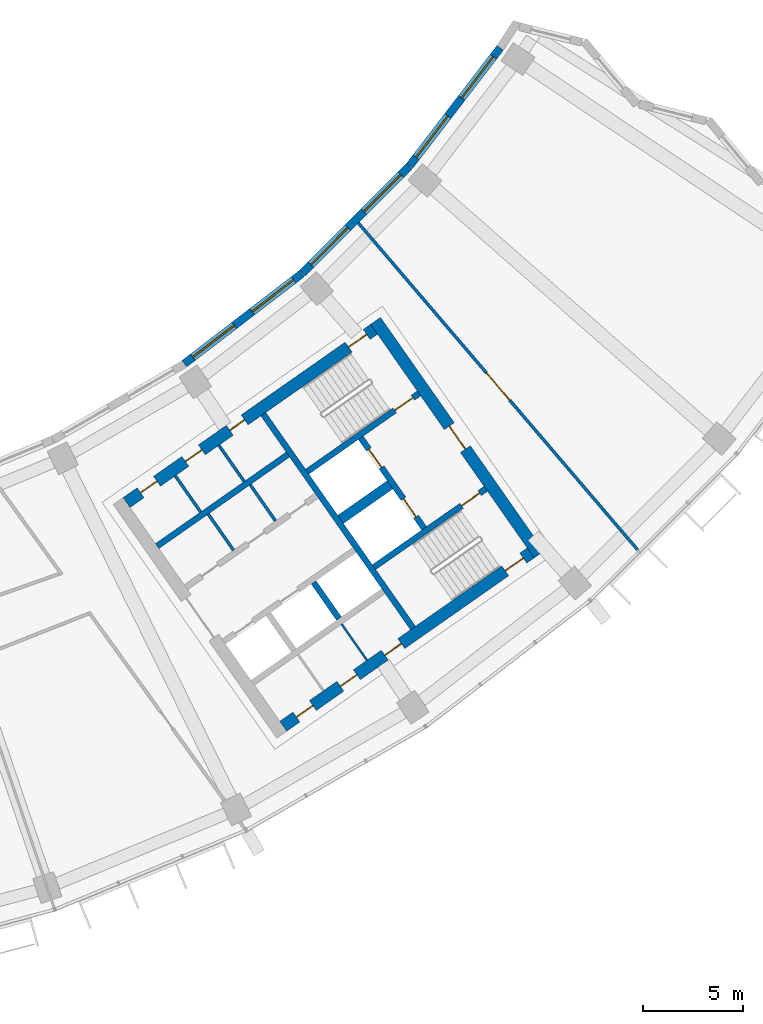
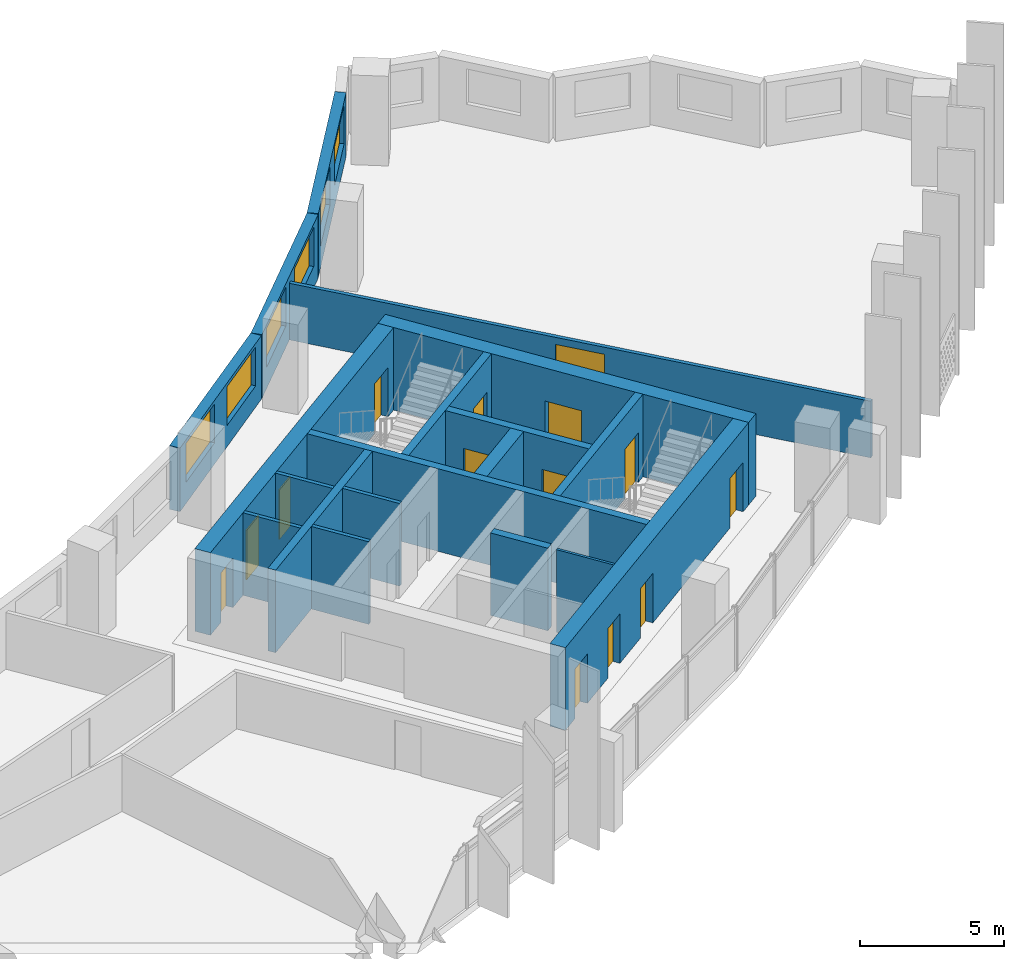
# One storey, part 7 of 26: 19 walls, 14 doors, 6 windows, 20 openings.
"""IFC4 building model written with IfcOpenShell, lengths in metres."""

from ifc_helpers import new_model, si_unit, direction, frame, frame_2d, origin, place, context, subcontext, project, spatial, rectangle, extrude, material, layer, layer_set, type_object, element, fill, save


model = new_model("IFC4")

# Units and contexts
model_context = context("Model", 3, precision=1e-05, world=origin(), true_north=direction((0.0, 1.0)))
body_context = subcontext(model_context, "Body", "Model", "MODEL_VIEW")
ifc_project = project(units=[si_unit("LENGTHUNIT", "METRE"), si_unit("AREAUNIT", "SQUARE_METRE"), si_unit("VOLUMEUNIT", "CUBIC_METRE"), si_unit("PLANEANGLEUNIT", "RADIAN"), si_unit("MASSUNIT", "GRAM", prefix="KILO")], contexts=[model_context])

# Site, building, storey
site_placement = place(None, origin())
site = spatial("IfcSite", under=ifc_project, at=site_placement, CompositionType="ELEMENT")
building_placement = place(site_placement, origin())
building = spatial("IfcBuilding", under=site, at=building_placement, Name="Qamariyya Broadcast Tower", CompositionType="ELEMENT")
storey_placement = place(building_placement, frame((0.0, 0.0, 156.89990234375)))
storey = spatial("IfcBuildingStorey", under=building, at=storey_placement, Name="L36", CompositionType="ELEMENT", Elevation=156.89990234375)

# Wall, opening, door
ifc_material_1 = material(Name="Concrete C60/75", Category="concrete")
ifc_layer_1 = layer(ifc_material_1, 0.60009765625)
ifc_layer_set_1 = layer_set([ifc_layer_1], Name="Core wall 600 mm Concrete C60/75")
wall_type_1 = type_object("IfcWallType", Name="Core wall 600 mm Concrete C60/75", PredefinedType="SHEAR", material=ifc_layer_set_1)
wall_1_placement = place(storey_placement, frame((49.4833984375, -57.031494140625, 0.0), z_axis=(0.0, 0.0, 1.0), x_axis=(-0.573560421458, 0.819163257805, 0.0)))
wall_1 = element("IfcWall", 1, at=wall_1_placement, inside=storey, type_object=wall_type_1, Name="k-E-L36-WH", PredefinedType="SHEAR", context=body_context, shape_type="SweptSolid", body=[
    extrude(rectangle(XDim=14.199951171875, YDim=0.60009765625, at=frame_2d((7.10009765625, 0.0))), origin(), (0.0, 0.0, 1.0), 3.5),
])
opening_1_placement = place(wall_1_placement, frame((6.39990234375, 0.0, 0.0)))
opening_1 = element("IfcOpeningElement", 2, at=opening_1_placement, cuts=wall_1, Name="Opening KD2-E1", PredefinedType="OPENING", context=body_context, shape_type="SweptSolid", body=[
    extrude(rectangle(XDim=1.39990234375, YDim=2.10009765625, at=frame_2d((0.699951171875, 1.050048828125))), frame((0.0, 0.31005859375, 0.0), z_axis=(0.0, -1.0, 0.0), x_axis=(1.0, 0.0, 0.0)), (0.0, 0.0, 1.0), 0.6201171875),
])
ifc_material_2 = material(Name="Steel fire-resisting door leaf", Category="steel")
door_type_1 = type_object("IfcDoorType", Name="Fire-fighting lobby door KD2", OperationType="DOUBLE_DOOR_SINGLE_SWING", PredefinedType="DOOR", material=ifc_material_2)
door_1_placement = place(opening_1_placement, origin())
door_1 = element("IfcDoor", 3, at=door_1_placement, inside=storey, type_object=door_type_1, Name="k-E-L36-WH-D15", OperationType="DOUBLE_DOOR_SINGLE_SWING", OverallHeight=2.10009765625, OverallWidth=1.39990234375, PredefinedType="DOOR", context=body_context, shape_type="SweptSolid", body=[
    extrude(rectangle(XDim=1.39990234375, YDim=2.10009765625, at=frame_2d((0.699951171875, 1.050048828125))), frame((0.0, 0.02490234375, 0.0), z_axis=(0.0, -1.0, 0.0), x_axis=(1.0, 0.0, 0.0)), (0.0, 0.0, 1.0), 0.050048828125),
])
fill(opening_1, door_1)

# Wall, openings, doors
wall_2_placement = place(storey_placement, frame((28.940673828125, -54.447021484375, 0.0), z_axis=(0.0, 0.0, 1.0), x_axis=(0.819153391756, 0.573574511963, 0.0)))
wall_2 = element("IfcWall", 4, at=wall_2_placement, inside=storey, type_object=wall_type_1, Name="k-E-L36-WI", PredefinedType="SHEAR", context=body_context, shape_type="SweptSolid", body=[
    extrude(rectangle(XDim=15.04541015625, YDim=0.60009765625, at=frame_2d((7.522705078125, 0.0))), origin(), (0.0, 0.0, 1.0), 3.5),
])
opening_2_placement = place(wall_2_placement, frame((0.85009765625, 0.0, 0.0)))
opening_2 = element("IfcOpeningElement", 5, at=opening_2_placement, cuts=wall_2, Name="Opening KD6-E3", PredefinedType="OPENING", context=body_context, shape_type="SweptSolid", body=[
    extrude(rectangle(XDim=1.0, YDim=2.10009765625, at=frame_2d((0.5, 1.050048828125))), frame((0.0, 0.31005859375, 0.0), z_axis=(0.0, -1.0, 0.0), x_axis=(1.0, 0.0, 0.0)), (0.0, 0.0, 1.0), 0.6201171875),
])
opening_3_placement = place(wall_2_placement, frame((3.574951171875, 0.0, 0.0)))
opening_3 = element("IfcOpeningElement", 6, at=opening_3_placement, cuts=wall_2, Name="Opening KD7-E1", PredefinedType="OPENING", context=body_context, shape_type="SweptSolid", body=[
    extrude(rectangle(XDim=1.0, YDim=2.10009765625, at=frame_2d((0.5, 1.050048828125))), frame((0.0, 0.31005859375, 0.0), z_axis=(0.0, -1.0, 0.0), x_axis=(1.0, 0.0, 0.0)), (0.0, 0.0, 1.0), 0.6201171875),
])
opening_4_placement = place(wall_2_placement, frame((6.27490234375, 0.0, 0.0)))
opening_4 = element("IfcOpeningElement", 7, at=opening_4_placement, cuts=wall_2, Name="Opening KD5-E1", PredefinedType="OPENING", context=body_context, shape_type="SweptSolid", body=[
    extrude(rectangle(XDim=0.89990234375, YDim=2.10009765625, at=frame_2d((0.449951171875, 1.050048828125))), frame((0.0, 0.31005859375, 0.0), z_axis=(0.0, -1.0, 0.0), x_axis=(1.0, 0.0, 0.0)), (0.0, 0.0, 1.0), 0.6201171875),
])
opening_5_placement = place(wall_2_placement, frame((13.495361328125, 0.0, 0.0)))
opening_5 = element("IfcOpeningElement", 8, at=opening_5_placement, cuts=wall_2, Name="Opening KD1-E1", PredefinedType="OPENING", context=body_context, shape_type="SweptSolid", body=[
    extrude(rectangle(XDim=1.10009765625, YDim=2.10009765625, at=frame_2d((0.550048828125, 1.050048828125))), frame((0.0, 0.31005859375, 0.0), z_axis=(0.0, -1.0, 0.0), x_axis=(1.0, 0.0, 0.0)), (0.0, 0.0, 1.0), 0.6201171875),
])
door_type_2 = type_object("IfcDoorType", Name="Accessible toilet door KD7", OperationType="SINGLE_SWING_LEFT", PredefinedType="DOOR", material=ifc_material_2)
door_2_placement = place(opening_3_placement, origin())
door_2 = element("IfcDoor", 9, at=door_2_placement, inside=storey, type_object=door_type_2, Name="k-E-L36-WI-D8", OperationType="SINGLE_SWING_RIGHT", OverallHeight=2.10009765625, OverallWidth=1.0, PredefinedType="DOOR", context=body_context, shape_type="SweptSolid", body=[
    extrude(rectangle(XDim=1.0, YDim=2.10009765625, at=frame_2d((0.5, 1.050048828125))), frame((0.0, 0.02490234375, 0.0), z_axis=(0.0, -1.0, 0.0), x_axis=(1.0, 0.0, 0.0)), (0.0, 0.0, 1.0), 0.050048828125),
])
fill(opening_3, door_2)
door_type_3 = type_object("IfcDoorType", Name="Core room door KD6", OperationType="SINGLE_SWING_LEFT", PredefinedType="DOOR", material=ifc_material_2)
door_3_placement = place(opening_2_placement, origin())
door_3 = element("IfcDoor", 10, at=door_3_placement, inside=storey, type_object=door_type_3, Name="k-E-L36-WI-D7", OperationType="SINGLE_SWING_LEFT", OverallHeight=2.10009765625, OverallWidth=1.0, PredefinedType="DOOR", context=body_context, shape_type="SweptSolid", body=[
    extrude(rectangle(XDim=1.0, YDim=2.10009765625, at=frame_2d((0.5, 1.050048828125))), frame((0.0, 0.02490234375, 0.0), z_axis=(0.0, -1.0, 0.0), x_axis=(1.0, 0.0, 0.0)), (0.0, 0.0, 1.0), 0.050048828125),
])
fill(opening_2, door_3)
door_type_4 = type_object("IfcDoorType", Name="Stair door KD1", OperationType="SINGLE_SWING_LEFT", PredefinedType="DOOR", material=ifc_material_2)
door_4_placement = place(opening_5_placement, origin())
door_4 = element("IfcDoor", 11, at=door_4_placement, inside=storey, type_object=door_type_4, Name="k-E-L36-WI-D16", OperationType="SINGLE_SWING_RIGHT", OverallHeight=2.10009765625, OverallWidth=1.10009765625, PredefinedType="DOOR", context=body_context, shape_type="SweptSolid", body=[
    extrude(rectangle(XDim=1.10009765625, YDim=2.10009765625, at=frame_2d((0.550048828125, 1.050048828125))), frame((0.0, 0.02490234375, 0.0), z_axis=(0.0, -1.0, 0.0), x_axis=(1.0, 0.0, 0.0)), (0.0, 0.0, 1.0), 0.050048828125),
])
fill(opening_5, door_4)
door_type_5 = type_object("IfcDoorType", Name="Toilet door KD5", OperationType="SINGLE_SWING_LEFT", PredefinedType="DOOR", material=ifc_material_2)
door_5_placement = place(opening_4_placement, origin())
door_5 = element("IfcDoor", 12, at=door_5_placement, inside=storey, type_object=door_type_5, Name="k-E-L36-WI-D9", OperationType="SINGLE_SWING_LEFT", OverallHeight=2.10009765625, OverallWidth=0.89990234375, PredefinedType="DOOR", context=body_context, shape_type="SweptSolid", body=[
    extrude(rectangle(XDim=0.89990234375, YDim=2.10009765625, at=frame_2d((0.449951171875, 1.050048828125))), frame((0.0, 0.02490234375, 0.0), z_axis=(0.0, -1.0, 0.0), x_axis=(1.0, 0.0, 0.0)), (0.0, 0.0, 1.0), 0.050048828125),
])
fill(opening_4, door_5)

wall_3_placement = place(storey_placement, frame((36.7412109375, -65.58740234375, 0.0), z_axis=(0.0, 0.0, 1.0), x_axis=(0.819153391756, 0.573574511963, 0.0)))
wall_3 = element("IfcWall", 13, at=wall_3_placement, inside=storey, type_object=wall_type_1, Name="k-E-L36-WO", PredefinedType="SHEAR", context=body_context, shape_type="SweptSolid", body=[
    extrude(rectangle(XDim=15.04541015625, YDim=0.60009765625, at=frame_2d((7.522705078125, 0.0))), origin(), (0.0, 0.0, 1.0), 3.5),
])
opening_6_placement = place(wall_3_placement, frame((0.800048828125, 0.0, 0.0)))
opening_6 = element("IfcOpeningElement", 14, at=opening_6_placement, cuts=wall_3, Name="Opening KD4-E2", PredefinedType="OPENING", context=body_context, shape_type="SweptSolid", body=[
    extrude(rectangle(XDim=1.0, YDim=2.10009765625, at=frame_2d((0.5, 1.050048828125))), frame((0.0, 0.31005859375, 0.0), z_axis=(0.0, -1.0, 0.0), x_axis=(1.0, 0.0, 0.0)), (0.0, 0.0, 1.0), 0.6201171875),
])
opening_7_placement = place(wall_3_placement, frame((3.47509765625, 0.0, 0.0)))
opening_7 = element("IfcOpeningElement", 15, at=opening_7_placement, cuts=wall_3, Name="Opening KD4-E3", PredefinedType="OPENING", context=body_context, shape_type="SweptSolid", body=[
    extrude(rectangle(XDim=1.0, YDim=2.10009765625, at=frame_2d((0.5, 1.050048828125))), frame((0.0, 0.31005859375, 0.0), z_axis=(0.0, -1.0, 0.0), x_axis=(1.0, 0.0, 0.0)), (0.0, 0.0, 1.0), 0.6201171875),
])
opening_8_placement = place(wall_3_placement, frame((6.175048828125, 0.0, 0.0)))
opening_8 = element("IfcOpeningElement", 16, at=opening_8_placement, cuts=wall_3, Name="Opening KD4-E4", PredefinedType="OPENING", context=body_context, shape_type="SweptSolid", body=[
    extrude(rectangle(XDim=1.0, YDim=2.10009765625, at=frame_2d((0.5, 1.050048828125))), frame((0.0, 0.31005859375, 0.0), z_axis=(0.0, -1.0, 0.0), x_axis=(1.0, 0.0, 0.0)), (0.0, 0.0, 1.0), 0.6201171875),
])
opening_9_placement = place(wall_3_placement, frame((13.495361328125, 0.0, 0.0)))
opening_9 = element("IfcOpeningElement", 17, at=opening_9_placement, cuts=wall_3, Name="Opening KD1-E3", PredefinedType="OPENING", context=body_context, shape_type="SweptSolid", body=[
    extrude(rectangle(XDim=1.10009765625, YDim=2.10009765625, at=frame_2d((0.550048828125, 1.050048828125))), frame((0.0, 0.31005859375, 0.0), z_axis=(0.0, -1.0, 0.0), x_axis=(1.0, 0.0, 0.0)), (0.0, 0.0, 1.0), 0.6201171875),
])
door_type_6 = type_object("IfcDoorType", Name="Riser and plant door KD4", OperationType="SINGLE_SWING_LEFT", PredefinedType="DOOR", material=ifc_material_2)
door_6_placement = place(opening_6_placement, origin())
door_6 = element("IfcDoor", 18, at=door_6_placement, inside=storey, type_object=door_type_6, Name="k-E-L36-WO-D10", OperationType="SINGLE_SWING_RIGHT", OverallHeight=2.10009765625, OverallWidth=1.0, PredefinedType="DOOR", context=body_context, shape_type="SweptSolid", body=[
    extrude(rectangle(XDim=1.0, YDim=2.10009765625, at=frame_2d((0.5, 1.050048828125))), frame((0.0, 0.02490234375, 0.0), z_axis=(0.0, -1.0, 0.0), x_axis=(1.0, 0.0, 0.0)), (0.0, 0.0, 1.0), 0.050048828125),
])
fill(opening_6, door_6)
door_7_placement = place(opening_7_placement, origin())
door_7 = element("IfcDoor", 19, at=door_7_placement, inside=storey, type_object=door_type_6, Name="k-E-L36-WO-D11", OperationType="SINGLE_SWING_LEFT", OverallHeight=2.10009765625, OverallWidth=1.0, PredefinedType="DOOR", context=body_context, shape_type="SweptSolid", body=[
    extrude(rectangle(XDim=1.0, YDim=2.10009765625, at=frame_2d((0.5, 1.050048828125))), frame((0.0, 0.02490234375, 0.0), z_axis=(0.0, -1.0, 0.0), x_axis=(1.0, 0.0, 0.0)), (0.0, 0.0, 1.0), 0.050048828125),
])
fill(opening_7, door_7)
door_8_placement = place(opening_8_placement, origin())
door_8 = element("IfcDoor", 20, at=door_8_placement, inside=storey, type_object=door_type_6, Name="k-E-L36-WO-D12", OperationType="SINGLE_SWING_RIGHT", OverallHeight=2.10009765625, OverallWidth=1.0, PredefinedType="DOOR", context=body_context, shape_type="SweptSolid", body=[
    extrude(rectangle(XDim=1.0, YDim=2.10009765625, at=frame_2d((0.5, 1.050048828125))), frame((0.0, 0.02490234375, 0.0), z_axis=(0.0, -1.0, 0.0), x_axis=(1.0, 0.0, 0.0)), (0.0, 0.0, 1.0), 0.050048828125),
])
fill(opening_8, door_8)
door_9_placement = place(opening_9_placement, origin())
door_9 = element("IfcDoor", 21, at=door_9_placement, inside=storey, type_object=door_type_4, Name="k-E-L36-WO-D18", OperationType="SINGLE_SWING_LEFT", OverallHeight=2.10009765625, OverallWidth=1.10009765625, PredefinedType="DOOR", context=body_context, shape_type="SweptSolid", body=[
    extrude(rectangle(XDim=1.10009765625, YDim=2.10009765625, at=frame_2d((0.550048828125, 1.050048828125))), frame((0.0, 0.02490234375, 0.0), z_axis=(0.0, -1.0, 0.0), x_axis=(1.0, 0.0, 0.0)), (0.0, 0.0, 1.0), 0.050048828125),
])
fill(opening_9, door_9)

# Wall, opening, door
ifc_material_3 = material(Name="Gypsum board partition")
ifc_layer_2 = layer(ifc_material_3, 0.14990234375)
ifc_layer_set_2 = layer_set([ifc_layer_2], Name="Corridor partition 150 EI 60")
wall_type_2 = type_object("IfcWallType", Name="Corridor partition 150 EI 60", PredefinedType="PARTITIONING", material=ifc_layer_set_2)
wall_4_placement = place(storey_placement, frame((40.478759765625, -40.52294921875, 0.0), z_axis=(0.0, 0.0, 1.0), x_axis=(0.649633284071, -0.760247720303, 0.0)))
wall_4 = element("IfcWall", 22, at=wall_4_placement, inside=storey, type_object=wall_type_2, Name="Partition L36-027", PredefinedType="PARTITIONING", context=body_context, shape_type="SweptSolid", body=[
    extrude(rectangle(XDim=21.420166015625, YDim=0.14990234375, at=frame_2d((10.7099609375, 0.0))), origin(), (0.0, 0.0, 1.0), 2.400146484375),
])
opening_10_placement = place(wall_4_placement, frame((9.81005859375, 0.0, 0.0)))
opening_10 = element("IfcOpeningElement", 23, at=opening_10_placement, cuts=wall_4, Name="Opening L36-D13", PredefinedType="OPENING", context=body_context, shape_type="SweptSolid", body=[
    extrude(rectangle(XDim=1.800048828125, YDim=2.10009765625, at=frame_2d((0.89990234375, 1.050048828125))), frame((0.0, 0.0849609375, 0.0), z_axis=(0.0, -1.0, 0.0), x_axis=(1.0, 0.0, 0.0)), (0.0, 0.0, 1.0), 0.169921875),
])
ifc_material_4 = material(Name="Timber fire door leaf", Category="wood")
door_type_7 = type_object("IfcDoorType", Name="Double fire door 1800 x 2100 FD60", OperationType="NOTDEFINED", PredefinedType="DOOR", material=ifc_material_4)
door_10_placement = place(opening_10_placement, origin())
door_10 = element("IfcDoor", 24, at=door_10_placement, inside=storey, type_object=door_type_7, Name="Door L36-D13", OperationType="DOUBLE_DOOR_SINGLE_SWING", OverallHeight=2.10009765625, OverallWidth=1.800048828125, PredefinedType="DOOR", context=body_context, shape_type="SweptSolid", body=[
    extrude(rectangle(XDim=1.800048828125, YDim=2.10009765625, at=frame_2d((0.89990234375, 1.050048828125))), frame((0.0, 0.02490234375, 0.0), z_axis=(0.0, -1.0, 0.0), x_axis=(1.0, 0.0, 0.0)), (0.0, 0.0, 1.0), 0.050048828125),
])
fill(opening_10, door_10)

# Walls
ifc_layer_3 = layer(ifc_material_1, 0.5)
ifc_layer_set_3 = layer_set([ifc_layer_3], Name="Fire-fighting lobby divider wall 500 mm Concrete C60/75")
wall_type_3 = type_object("IfcWallType", Name="Fire-fighting lobby divider wall 500 mm Concrete C60/75", PredefinedType="SOLIDWALL", material=ifc_layer_set_3)
wall_5_placement = place(storey_placement, frame((39.59912109375, -55.28515625, 0.0), z_axis=(0.0, 0.0, 1.0), x_axis=(0.819136323161, 0.573598887793, 0.0)))
element("IfcWall", 25, at=wall_5_placement, inside=storey, type_object=wall_type_3, Name="k-E-L36-FD", PredefinedType="SOLIDWALL", context=body_context, shape_type="SweptSolid", body=[
    extrude(rectangle(XDim=2.999755859375, YDim=0.5, at=frame_2d((1.5, 0.0))), origin(), (0.0, 0.0, 1.0), 3.5),
])
ifc_material_5 = material(Name="Gypsum board partition on steel studs", Category="steel")
ifc_layer_4 = layer(ifc_material_5, 0.14990234375)
ifc_layer_set_4 = layer_set([ifc_layer_4], Name="Gypsum board partition 150 mm")
wall_type_4 = type_object("IfcWallType", Name="Gypsum board partition 150 mm", PredefinedType="PARTITIONING", material=ifc_layer_set_4)
for number, where, z_axis, x_axis, name in (
    (26, (34.26611328125, -56.822021484375, 0.0), (0.0, 0.0, 1.0), (-0.573581496053, 0.819148501424, 0.0), "k-E-L36-NC300"),
    (27, (36.35498046875, -55.359375, 0.0), (0.0, 0.0, 1.0), (-0.573581496053, 0.819148501424, 0.0), "k-E-L36-NC555"),
):
    element("IfcWall", number, at=place(storey_placement, frame(where, z_axis=z_axis, x_axis=x_axis)), inside=storey, type_object=wall_type_4, Name=name, PredefinedType="PARTITIONING", context=body_context, shape_type="SweptSolid", body=[
        extrude(rectangle(XDim=2.2001953125, YDim=0.14990234375, at=frame_2d((1.10009765625, 0.0))), origin(), (0.0, 0.0, 1.0), 3.5),
    ])
for number, where, z_axis, x_axis, name in (
    (28, (32.627197265625, -54.91748046875, 0.0), (0.0, 0.0, 1.0), (-0.573507030513, 0.819200638399, 0.0), "k-E-L36-NP275"),
    (29, (34.798095703125, -53.3974609375, 0.0), (0.0, 0.0, 1.0), (-0.573633636671, 0.819111989218, 0.0), "k-E-L36-NP540"),
):
    element("IfcWall", number, at=place(storey_placement, frame(where, z_axis=z_axis, x_axis=x_axis)), inside=storey, type_object=wall_type_4, Name=name, PredefinedType="PARTITIONING", context=body_context, shape_type="SweptSolid", body=[
        extrude(rectangle(XDim=2.199951171875, YDim=0.14990234375, at=frame_2d((1.10009765625, 0.0))), origin(), (0.0, 0.0, 1.0), 3.5),
    ])
ifc_layer_5 = layer(ifc_material_1, 0.300048828125)
ifc_layer_set_5 = layer_set([ifc_layer_5], Name="Lift shaft wall 300 mm Concrete C60/75")
wall_type_5 = type_object("IfcWallType", Name="Lift shaft wall 300 mm Concrete C60/75", PredefinedType="SOLIDWALL", material=ifc_layer_set_5)
wall_6_placement = place(storey_placement, frame((43.204345703125, -60.69580078125, 0.0), z_axis=(0.0, 0.0, 1.0), x_axis=(-0.573571992966, 0.819155155563, 0.0)))
element("IfcWall", 30, at=wall_6_placement, inside=storey, type_object=wall_type_5, Name="k-E-L36-WL", PredefinedType="SOLIDWALL", context=body_context, shape_type="SweptSolid", body=[
    extrude(rectangle(XDim=13.000244140625, YDim=0.300048828125, at=frame_2d((6.5, 0.0))), origin(), (0.0, 0.0, 1.0), 3.5),
])
wall_7_placement = place(storey_placement, frame((30.460693359375, -56.61767578125, 0.0), z_axis=(0.0, 0.0, 1.0), x_axis=(0.819142461705, 0.573590121456, 0.0)))
element("IfcWall", 31, at=wall_7_placement, inside=storey, type_object=wall_type_5, Name="k-E-L36-NB0", PredefinedType="SOLIDWALL", context=body_context, shape_type="SweptSolid", body=[
    extrude(rectangle(XDim=7.949951171875, YDim=0.300048828125, at=frame_2d((3.97509765625, 0.0))), origin(), (0.0, 0.0, 1.0), 3.5),
])
wall_8_placement = place(storey_placement, frame((38.255859375, -58.423095703125, 0.0), z_axis=(0.0, 0.0, 1.0), x_axis=(0.573633636671, -0.819111989218, 0.0)))
element("IfcWall", 32, at=wall_8_placement, inside=storey, type_object=wall_type_5, Name="k-E-L36-SD1", PredefinedType="SOLIDWALL", context=body_context, shape_type="SweptSolid", body=[
    extrude(rectangle(XDim=2.199951171875, YDim=0.300048828125, at=frame_2d((1.10009765625, 0.0))), origin(), (0.0, 0.0, 1.0), 3.5),
])

# Wall, opening, door
wall_9_placement = place(storey_placement, frame((37.935546875, -52.90966796875, 0.0), z_axis=(0.0, 0.0, 1.0), x_axis=(0.819147518138, 0.57358290031, 0.0)))
wall_9 = element("IfcWall", 33, at=wall_9_placement, inside=storey, type_object=wall_type_5, Name="k-E-L36-NW", PredefinedType="SOLIDWALL", context=body_context, shape_type="SweptSolid", body=[
    extrude(rectangle(XDim=6.79541015625, YDim=0.300048828125, at=frame_2d((3.397705078125, 0.0))), origin(), (0.0, 0.0, 1.0), 3.5),
])
opening_11_placement = place(wall_9_placement, frame((5.3203125, 0.0, 0.0)))
opening_11 = element("IfcOpeningElement", 34, at=opening_11_placement, cuts=wall_9, Name="Opening KD1-E2", PredefinedType="OPENING", context=body_context, shape_type="SweptSolid", body=[
    extrude(rectangle(XDim=1.10009765625, YDim=2.10009765625, at=frame_2d((0.550048828125, 1.050048828125))), frame((0.0, 0.159912109375, 0.0), z_axis=(0.0, -1.0, 0.0), x_axis=(1.0, 0.0, 0.0)), (0.0, 0.0, 1.0), 0.320068359375),
])
door_11_placement = place(opening_11_placement, origin())
door_11 = element("IfcDoor", 35, at=door_11_placement, inside=storey, type_object=door_type_4, Name="k-E-L36-NW-D17", OperationType="SINGLE_SWING_LEFT", OverallHeight=2.10009765625, OverallWidth=1.10009765625, PredefinedType="DOOR", context=body_context, shape_type="SweptSolid", body=[
    extrude(rectangle(XDim=1.10009765625, YDim=2.10009765625, at=frame_2d((0.550048828125, 1.050048828125))), frame((0.0, 0.02490234375, 0.0), z_axis=(0.0, -1.0, 0.0), x_axis=(1.0, 0.0, 0.0)), (0.0, 0.0, 1.0), 0.050048828125),
])
fill(opening_11, door_11)

wall_10_placement = place(storey_placement, frame((41.262451171875, -57.66064453125, 0.0), z_axis=(0.0, 0.0, 1.0), x_axis=(0.819164398642, 0.573558792102, 0.0)))
wall_10 = element("IfcWall", 36, at=wall_10_placement, inside=storey, type_object=wall_type_5, Name="k-E-L36-SW", PredefinedType="SOLIDWALL", context=body_context, shape_type="SweptSolid", body=[
    extrude(rectangle(XDim=6.795166015625, YDim=0.300048828125, at=frame_2d((3.3974609375, 0.0))), origin(), (0.0, 0.0, 1.0), 3.5),
])
opening_12_placement = place(wall_10_placement, frame((5.3203125, 0.0, 0.0)))
opening_12 = element("IfcOpeningElement", 37, at=opening_12_placement, cuts=wall_10, Name="Opening KD1-E4", PredefinedType="OPENING", context=body_context, shape_type="SweptSolid", body=[
    extrude(rectangle(XDim=1.10009765625, YDim=2.10009765625, at=frame_2d((0.550048828125, 1.050048828125))), frame((0.0, 0.159912109375, 0.0), z_axis=(0.0, -1.0, 0.0), x_axis=(1.0, 0.0, 0.0)), (0.0, 0.0, 1.0), 0.320068359375),
])
door_12_placement = place(opening_12_placement, origin())
door_12 = element("IfcDoor", 38, at=door_12_placement, inside=storey, type_object=door_type_4, Name="k-E-L36-SW-D19", OperationType="SINGLE_SWING_LEFT", OverallHeight=2.10009765625, OverallWidth=1.10009765625, PredefinedType="DOOR", context=body_context, shape_type="SweptSolid", body=[
    extrude(rectangle(XDim=1.10009765625, YDim=2.10009765625, at=frame_2d((0.550048828125, 1.050048828125))), frame((0.0, 0.02490234375, 0.0), z_axis=(0.0, -1.0, 0.0), x_axis=(1.0, 0.0, 0.0)), (0.0, 0.0, 1.0), 0.050048828125),
])
fill(opening_12, door_12)

# Wall, openings, doors
wall_11_placement = place(storey_placement, frame((43.756591796875, -55.731201171875, 0.0), z_axis=(0.0, 0.0, 1.0), x_axis=(-0.573536818435, 0.819179783625, 0.0)))
wall_11 = element("IfcWall", 39, at=wall_11_placement, inside=storey, type_object=wall_type_5, Name="k-E-L36-FF", PredefinedType="SOLIDWALL", context=body_context, shape_type="SweptSolid", body=[
    extrude(rectangle(XDim=5.500244140625, YDim=0.300048828125, at=frame_2d((2.75, 0.0))), origin(), (0.0, 0.0, 1.0), 3.5),
])
opening_13_placement = place(wall_11_placement, frame((0.699951171875, 0.0, 0.0)))
opening_13 = element("IfcOpeningElement", 40, at=opening_13_placement, cuts=wall_11, Name="Opening LD", PredefinedType="OPENING", context=body_context, shape_type="SweptSolid", body=[
    extrude(rectangle(XDim=1.10009765625, YDim=2.10009765625, at=frame_2d((0.550048828125, 1.050048828125))), frame((0.0, 0.159912109375, 0.0), z_axis=(0.0, -1.0, 0.0), x_axis=(1.0, 0.0, 0.0)), (0.0, 0.0, 1.0), 0.320068359375),
])
opening_14_placement = place(wall_11_placement, frame((3.699951171875, 0.0, 0.0)))
opening_14 = element("IfcOpeningElement", 41, at=opening_14_placement, cuts=wall_11, Name="Opening LD", PredefinedType="OPENING", context=body_context, shape_type="SweptSolid", body=[
    extrude(rectangle(XDim=1.10009765625, YDim=2.10009765625, at=frame_2d((0.550048828125, 1.050048828125))), frame((0.0, 0.159912109375, 0.0), z_axis=(0.0, -1.0, 0.0), x_axis=(1.0, 0.0, 0.0)), (0.0, 0.0, 1.0), 0.320068359375),
])
door_type_8 = type_object("IfcDoorType", Name="Lift landing door LD", OperationType="DOUBLE_DOOR_SLIDING", PredefinedType="DOOR", material=ifc_material_2)
door_13_placement = place(opening_13_placement, origin())
door_13 = element("IfcDoor", 42, at=door_13_placement, inside=storey, type_object=door_type_8, Name="k-E-L36-FF-D13", OperationType="DOUBLE_DOOR_SLIDING", OverallHeight=2.10009765625, OverallWidth=1.10009765625, PredefinedType="DOOR", context=body_context, shape_type="SweptSolid", body=[
    extrude(rectangle(XDim=1.10009765625, YDim=2.10009765625, at=frame_2d((0.550048828125, 1.050048828125))), frame((0.0, 0.02490234375, 0.0), z_axis=(0.0, -1.0, 0.0), x_axis=(1.0, 0.0, 0.0)), (0.0, 0.0, 1.0), 0.050048828125),
])
fill(opening_13, door_13)
door_14_placement = place(opening_14_placement, origin())
door_14 = element("IfcDoor", 43, at=door_14_placement, inside=storey, type_object=door_type_8, Name="k-E-L36-FF-D14", OperationType="DOUBLE_DOOR_SLIDING", OverallHeight=2.10009765625, OverallWidth=1.10009765625, PredefinedType="DOOR", context=body_context, shape_type="SweptSolid", body=[
    extrude(rectangle(XDim=1.10009765625, YDim=2.10009765625, at=frame_2d((0.550048828125, 1.050048828125))), frame((0.0, 0.02490234375, 0.0), z_axis=(0.0, -1.0, 0.0), x_axis=(1.0, 0.0, 0.0)), (0.0, 0.0, 1.0), 0.050048828125),
])
fill(opening_14, door_14)

# Wall
ifc_material_6 = material(Name="Fire-rated gypsum shaft liner on steel studs", Category="steel")
ifc_layer_6 = layer(ifc_material_6, 0.10009765625)
ifc_layer_set_6 = layer_set([ifc_layer_6], Name="Riser wall 100 mm")
wall_type_6 = type_object("IfcWallType", Name="Riser wall 100 mm", PredefinedType="PLUMBINGWALL", material=ifc_layer_set_6)
wall_12_placement = place(storey_placement, frame((39.64892578125, -60.49951171875, 0.0), z_axis=(0.0, 0.0, 1.0), x_axis=(0.573507030513, -0.819200638399, 0.0)))
element("IfcWall", 44, at=wall_12_placement, inside=storey, type_object=wall_type_6, Name="k-E-L36-SP530", PredefinedType="PLUMBINGWALL", context=body_context, shape_type="SweptSolid", body=[
    extrude(rectangle(XDim=2.199951171875, YDim=0.10009765625, at=frame_2d((1.10009765625, 0.0))), origin(), (0.0, 0.0, 1.0), 3.5),
])

# Wall, openings, windows
ifc_material_7 = material(Name="Terracotta", Category="masonry")
ifc_layer_7 = layer(ifc_material_7, 0.39990234375)
ifc_layer_set_7 = layer_set([ifc_layer_7], Name="Terracotta clad wall 400")
wall_type_7 = type_object("IfcWallType", Name="Terracotta clad wall 400", PredefinedType="SOLIDWALL", material=ifc_layer_set_7)
wall_13_placement = place(storey_placement, frame((37.674560546875, -43.036376953125, 0.0), z_axis=(0.0, 0.0, 1.0), x_axis=(-0.79334647843, -0.608770371457, 0.0)))
wall_13 = element("IfcWall", 45, at=wall_13_placement, inside=storey, type_object=wall_type_7, Name="e-wl-L36-in120", PredefinedType="SOLIDWALL", context=body_context, shape_type="SweptSolid", body=[
    extrude(rectangle(XDim=7.380615234375, YDim=0.39990234375, at=frame_2d((3.6904296875, 0.0))), origin(), (0.0, 0.0, 1.0), 2.7001953125),
])
opening_15_placement = place(wall_13_placement, frame((4.25439453125, 0.0, 0.89990234375)))
opening_15 = element("IfcOpeningElement", 46, at=opening_15_placement, cuts=wall_13, Name="Opening W1", PredefinedType="OPENING", context=body_context, shape_type="SweptSolid", body=[
    extrude(rectangle(XDim=2.60009765625, YDim=1.64990234375, at=frame_2d((1.300048828125, 0.824951171875))), frame((0.0, 0.2099609375, 0.0), z_axis=(0.0, -1.0, 0.0), x_axis=(1.0, 0.0, 0.0)), (0.0, 0.0, 1.0), 0.419921875),
])
opening_16_placement = place(wall_13_placement, frame((0.5263671875, 0.0, 0.89990234375)))
opening_16 = element("IfcOpeningElement", 47, at=opening_16_placement, cuts=wall_13, Name="Opening W1", PredefinedType="OPENING", context=body_context, shape_type="SweptSolid", body=[
    extrude(rectangle(XDim=2.60009765625, YDim=1.64990234375, at=frame_2d((1.300048828125, 0.824951171875))), frame((0.0, 0.2099609375, 0.0), z_axis=(0.0, -1.0, 0.0), x_axis=(1.0, 0.0, 0.0)), (0.0, 0.0, 1.0), 0.419921875),
])
ifc_material_8 = material(Name="Clear low-e double glazed unit in aluminium frame", Category="aluminium")
window_type = type_object("IfcWindowType", Name="Ribbon window 2600 x 1650", PartitioningType="SINGLE_PANEL", PredefinedType="WINDOW", material=ifc_material_8)
window_1_placement = place(opening_15_placement, origin())
window_1 = element("IfcWindow", 48, at=window_1_placement, inside=storey, type_object=window_type, Name="e-w-L36-in12-0", OverallHeight=1.64990234375, OverallWidth=2.60009765625, PartitioningType="SINGLE_PANEL", PredefinedType="WINDOW", context=body_context, shape_type="SweptSolid", body=[
    extrude(rectangle(XDim=2.60009765625, YDim=1.64990234375, at=frame_2d((1.300048828125, 0.824951171875))), frame((0.0, 0.030029296875, 0.0), z_axis=(0.0, -1.0, 0.0), x_axis=(1.0, 0.0, 0.0)), (0.0, 0.0, 1.0), 0.06005859375),
])
fill(opening_15, window_1)
window_2_placement = place(opening_16_placement, origin())
window_2 = element("IfcWindow", 49, at=window_2_placement, inside=storey, type_object=window_type, Name="e-w-L36-in12-1", OverallHeight=1.64990234375, OverallWidth=2.60009765625, PartitioningType="SINGLE_PANEL", PredefinedType="WINDOW", context=body_context, shape_type="SweptSolid", body=[
    extrude(rectangle(XDim=2.60009765625, YDim=1.64990234375, at=frame_2d((1.300048828125, 0.824951171875))), frame((0.0, 0.030029296875, 0.0), z_axis=(0.0, -1.0, 0.0), x_axis=(1.0, 0.0, 0.0)), (0.0, 0.0, 1.0), 0.06005859375),
])
fill(opening_16, window_2)

wall_14_placement = place(storey_placement, frame((43.023193359375, -37.697265625, 0.0), z_axis=(0.0, 0.0, 1.0), x_axis=(-0.707106781187, -0.707106781187, 0.0)))
wall_14 = element("IfcWall", 50, at=wall_14_placement, inside=storey, type_object=wall_type_7, Name="e-wl-L36-in130", PredefinedType="SOLIDWALL", context=body_context, shape_type="SweptSolid", body=[
    extrude(rectangle(XDim=7.531982421875, YDim=0.39990234375, at=frame_2d((3.76611328125, 0.0))), origin(), (0.0, 0.0, 1.0), 2.7001953125),
])
opening_17_placement = place(wall_14_placement, frame((4.330078125, 0.0, 0.89990234375)))
opening_17 = element("IfcOpeningElement", 51, at=opening_17_placement, cuts=wall_14, Name="Opening W1", PredefinedType="OPENING", context=body_context, shape_type="SweptSolid", body=[
    extrude(rectangle(XDim=2.60009765625, YDim=1.64990234375, at=frame_2d((1.300048828125, 0.824951171875))), frame((0.0, 0.2099609375, 0.0), z_axis=(0.0, -1.0, 0.0), x_axis=(1.0, 0.0, 0.0)), (0.0, 0.0, 1.0), 0.419921875),
])
opening_18_placement = place(wall_14_placement, frame((0.60205078125, 0.0, 0.89990234375)))
opening_18 = element("IfcOpeningElement", 52, at=opening_18_placement, cuts=wall_14, Name="Opening W1", PredefinedType="OPENING", context=body_context, shape_type="SweptSolid", body=[
    extrude(rectangle(XDim=2.60009765625, YDim=1.64990234375, at=frame_2d((1.300048828125, 0.824951171875))), frame((0.0, 0.2099609375, 0.0), z_axis=(0.0, -1.0, 0.0), x_axis=(1.0, 0.0, 0.0)), (0.0, 0.0, 1.0), 0.419921875),
])
window_3_placement = place(opening_17_placement, origin())
window_3 = element("IfcWindow", 53, at=window_3_placement, inside=storey, type_object=window_type, Name="e-w-L36-in13-0", OverallHeight=1.64990234375, OverallWidth=2.60009765625, PartitioningType="SINGLE_PANEL", PredefinedType="WINDOW", context=body_context, shape_type="SweptSolid", body=[
    extrude(rectangle(XDim=2.60009765625, YDim=1.64990234375, at=frame_2d((1.300048828125, 0.824951171875))), frame((0.0, 0.030029296875, 0.0), z_axis=(0.0, -1.0, 0.0), x_axis=(1.0, 0.0, 0.0)), (0.0, 0.0, 1.0), 0.06005859375),
])
fill(opening_17, window_3)
window_4_placement = place(opening_18_placement, origin())
window_4 = element("IfcWindow", 54, at=window_4_placement, inside=storey, type_object=window_type, Name="e-w-L36-in13-1", OverallHeight=1.64990234375, OverallWidth=2.60009765625, PartitioningType="SINGLE_PANEL", PredefinedType="WINDOW", context=body_context, shape_type="SweptSolid", body=[
    extrude(rectangle(XDim=2.60009765625, YDim=1.64990234375, at=frame_2d((1.300048828125, 0.824951171875))), frame((0.0, 0.030029296875, 0.0), z_axis=(0.0, -1.0, 0.0), x_axis=(1.0, 0.0, 0.0)), (0.0, 0.0, 1.0), 0.06005859375),
])
fill(opening_18, window_4)

wall_15_placement = place(storey_placement, frame((47.53857421875, -31.80712890625, 0.0), z_axis=(0.0, 0.0, 1.0), x_axis=(-0.608757907172, -0.79335604268, 0.0)))
wall_15 = element("IfcWall", 55, at=wall_15_placement, inside=storey, type_object=wall_type_7, Name="e-wl-L36-in140", PredefinedType="SOLIDWALL", context=body_context, shape_type="SweptSolid", body=[
    extrude(rectangle(XDim=7.395751953125, YDim=0.39990234375, at=frame_2d((3.69775390625, 0.0))), origin(), (0.0, 0.0, 1.0), 2.7001953125),
])
opening_19_placement = place(wall_15_placement, frame((4.269287109375, 0.0, 0.89990234375)))
opening_19 = element("IfcOpeningElement", 56, at=opening_19_placement, cuts=wall_15, Name="Opening W1", PredefinedType="OPENING", context=body_context, shape_type="SweptSolid", body=[
    extrude(rectangle(XDim=2.60009765625, YDim=1.64990234375, at=frame_2d((1.300048828125, 0.824951171875))), frame((0.0, 0.2099609375, 0.0), z_axis=(0.0, -1.0, 0.0), x_axis=(1.0, 0.0, 0.0)), (0.0, 0.0, 1.0), 0.419921875),
])
opening_20_placement = place(wall_15_placement, frame((0.541259765625, 0.0, 0.89990234375)))
opening_20 = element("IfcOpeningElement", 57, at=opening_20_placement, cuts=wall_15, Name="Opening W1", PredefinedType="OPENING", context=body_context, shape_type="SweptSolid", body=[
    extrude(rectangle(XDim=2.60009765625, YDim=1.64990234375, at=frame_2d((1.300048828125, 0.824951171875))), frame((0.0, 0.2099609375, 0.0), z_axis=(0.0, -1.0, 0.0), x_axis=(1.0, 0.0, 0.0)), (0.0, 0.0, 1.0), 0.419921875),
])
window_5_placement = place(opening_19_placement, origin())
window_5 = element("IfcWindow", 58, at=window_5_placement, inside=storey, type_object=window_type, Name="e-w-L36-in14-0", OverallHeight=1.64990234375, OverallWidth=2.60009765625, PartitioningType="SINGLE_PANEL", PredefinedType="WINDOW", context=body_context, shape_type="SweptSolid", body=[
    extrude(rectangle(XDim=2.60009765625, YDim=1.64990234375, at=frame_2d((1.300048828125, 0.824951171875))), frame((0.0, 0.030029296875, 0.0), z_axis=(0.0, -1.0, 0.0), x_axis=(1.0, 0.0, 0.0)), (0.0, 0.0, 1.0), 0.06005859375),
])
fill(opening_19, window_5)
window_6_placement = place(opening_20_placement, origin())
window_6 = element("IfcWindow", 59, at=window_6_placement, inside=storey, type_object=window_type, Name="e-w-L36-in14-1", OverallHeight=1.64990234375, OverallWidth=2.60009765625, PartitioningType="SINGLE_PANEL", PredefinedType="WINDOW", context=body_context, shape_type="SweptSolid", body=[
    extrude(rectangle(XDim=2.60009765625, YDim=1.64990234375, at=frame_2d((1.300048828125, 0.824951171875))), frame((0.0, 0.030029296875, 0.0), z_axis=(0.0, -1.0, 0.0), x_axis=(1.0, 0.0, 0.0)), (0.0, 0.0, 1.0), 0.06005859375),
])
fill(opening_20, window_6)

save(model, "model.ifc")
